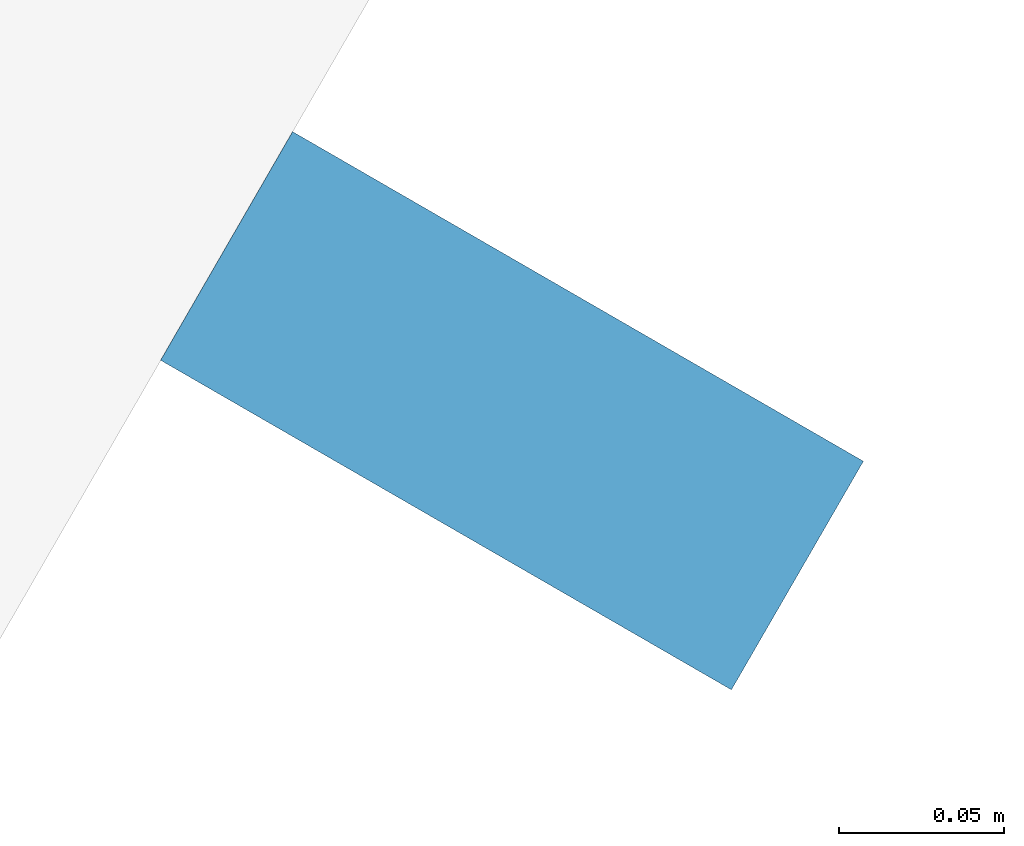
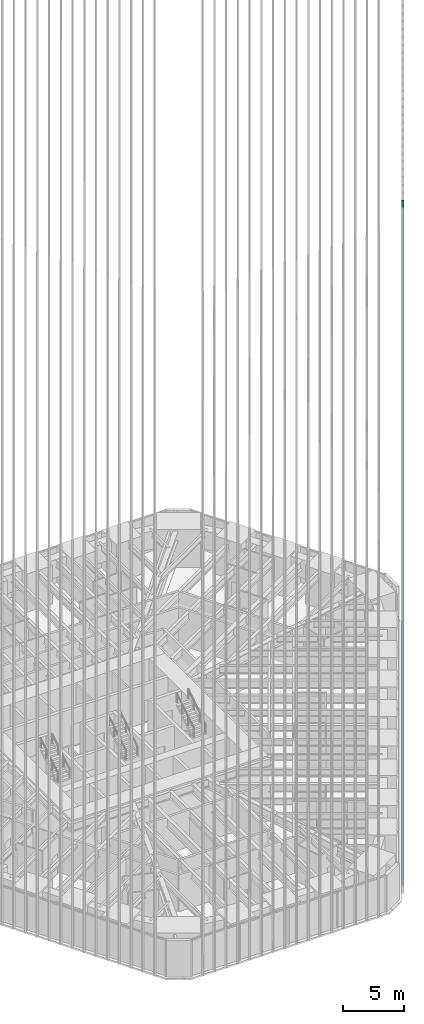
# One storey, part 80 of 256: 1 member, 1 element without a shape of its own.
"""IFC4 building model written with IfcOpenShell, lengths in metres."""

from ifc_helpers import new_model, si_unit, direction, frame, origin, origin_2d, place, context, subcontext, project, spatial, rectangle, extrude, material, material_profile, profile_set, type_object, element, aggregate, save


model = new_model("IFC4")

# Units and contexts
model_context = context("Model", 3, precision=1e-05, world=origin(), true_north=direction((0.0, 1.0)))
body_context = subcontext(model_context, "Body", "Model", "MODEL_VIEW")
ifc_project = project(units=[si_unit("LENGTHUNIT", "METRE"), si_unit("AREAUNIT", "SQUARE_METRE"), si_unit("VOLUMEUNIT", "CUBIC_METRE"), si_unit("PLANEANGLEUNIT", "RADIAN"), si_unit("MASSUNIT", "GRAM", prefix="KILO")], contexts=[model_context])

# Site, building, storey
site_placement = place(None, origin())
site = spatial("IfcSite", under=ifc_project, at=site_placement, CompositionType="ELEMENT")
building_placement = place(site_placement, origin())
building = spatial("IfcBuilding", under=site, at=building_placement, Name="Sandreach Pilgrim Tower", CompositionType="ELEMENT")
storey_placement = place(building_placement, frame((0.0, 0.0, 23.0)))
storey = spatial("IfcBuildingStorey", under=building, at=storey_placement, Name="L04", CompositionType="ELEMENT", Elevation=23.0)

# Curtain wall, member
ifc_material_1 = material(Name="Aluminium framed curtain wall", Category="aluminium")
curtain_wall_type = type_object("IfcCurtainWallType", Name="Hostel tower curtain wall", PredefinedType="NOTDEFINED", material=ifc_material_1)
curtain_wall_placement = place(storey_placement, origin())
curtain_wall = element("IfcCurtainWall", 1, at=curtain_wall_placement, inside=storey, type_object=curtain_wall_type, Name="CW-1 L04 SE", PredefinedType="NOTDEFINED")
ifc_material_2 = material(Name="Extruded terracotta on aluminium core", Category="masonry")
ifc_material_profile = material_profile(ifc_material_2, rectangle(XDim=0.080078125, YDim=0.199951171875, at=origin_2d()), Name="TBE 80X200")
ifc_profile_set = profile_set([ifc_material_profile], Name="Extruded terracotta on aluminium core")
member_type = type_object("IfcMemberType", Name="Terracotta baguette east", PredefinedType="USERDEFINED", material=ifc_profile_set)
member_placement = place(storey_placement, frame((12.24072265625, -27.49560546875, 0.0), z_axis=(0.0, 0.0, 1.0), x_axis=(-0.5, -0.866025403784, 0.0)))
member = element("IfcMember", 2, at=member_placement, type_object=member_type, Name="Baguette Z1 SE34", ObjectType="BAGUETTE", PredefinedType="USERDEFINED", context=body_context, shape_type="SweptSolid", body=[
    extrude(rectangle(XDim=0.080078125, YDim=0.199951171875, at=origin_2d()), origin(), (0.0, 0.0, 1.0), 68.239990234375),
])
aggregate(curtain_wall, [member])

save(model, "model.ifc")
